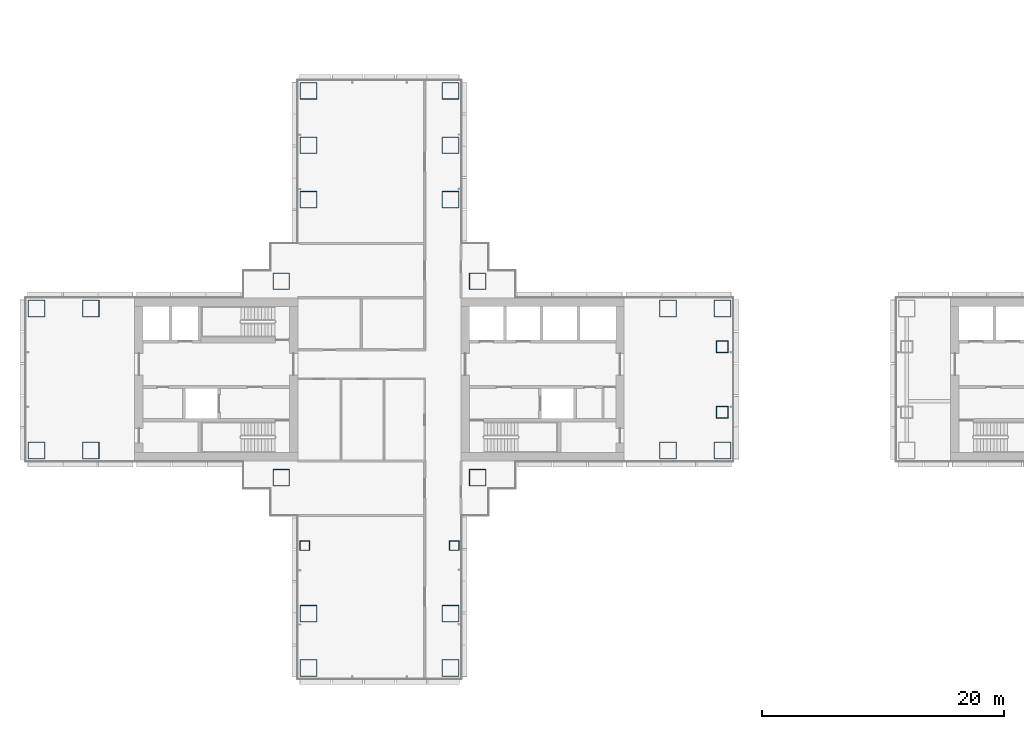
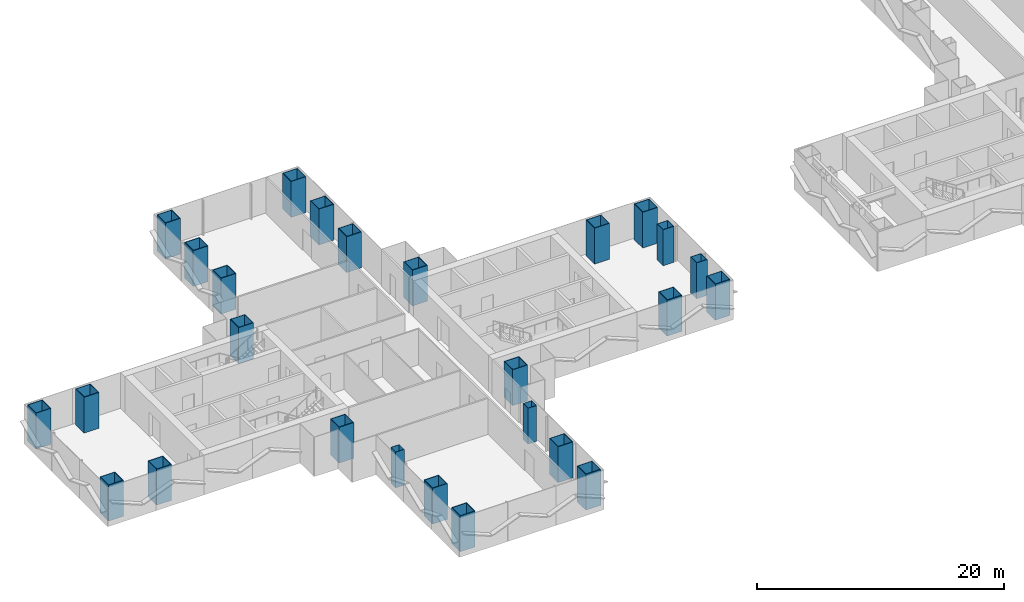
# One storey, part 1 of 21: 26 columns.
"""IFC4 building model written with IfcOpenShell, lengths in metres."""

from ifc_helpers import new_model, si_unit, direction, frame, origin, origin_2d, place, context, subcontext, project, spatial, hollow_rectangle, extrude, material, material_profile, profile_set, type_object, element, save


model = new_model("IFC4")

# Units and contexts
model_context = context("Model", 3, precision=1e-05, world=origin(), true_north=direction((0.0, 1.0)))
body_context = subcontext(model_context, "Body", "Model", "MODEL_VIEW")
ifc_project = project(units=[si_unit("LENGTHUNIT", "METRE"), si_unit("AREAUNIT", "SQUARE_METRE"), si_unit("VOLUMEUNIT", "CUBIC_METRE"), si_unit("PLANEANGLEUNIT", "RADIAN"), si_unit("MASSUNIT", "GRAM", prefix="KILO")], contexts=[model_context])

# Site, building, storey
site_placement = place(None, origin())
site = spatial("IfcSite", under=ifc_project, at=site_placement, CompositionType="ELEMENT")
building_placement = place(site_placement, origin())
building = spatial("IfcBuilding", under=site, at=building_placement, Name="Shamsa Quay Exchange Towers", CompositionType="ELEMENT")
storey_placement = place(building_placement, frame((0.0, 0.0, 57.60009765625)))
storey = spatial("IfcBuildingStorey", under=building, at=storey_placement, Name="L12", CompositionType="ELEMENT", Elevation=57.60009765625)

# Columns
ifc_material_1 = material(Name="Concrete-filled steel tube S355 / C80/95", Category="concrete")
ifc_material_profile_1 = material_profile(ifc_material_1, hollow_rectangle(XDim=1.39990234375, YDim=1.39990234375, WallThickness=0.050048828125, at=origin_2d()), Name="CFT 1400x1400x50")
ifc_profile_set_1 = profile_set([ifc_material_profile_1], Name="Concrete-filled steel tube S355 / C80/95")
column_type_1 = type_object("IfcColumnType", Name="Column CFT 1400x1400x50", PredefinedType="COLUMN", material=ifc_profile_set_1)
for number, where, name in (
    (1, (-25.625, 8.125, 0.0), "Mega column T1-CM01"),
    (2, (-25.625, -8.125, 0.0), "Mega column T1-CM02"),
    (3, (-41.875, 8.125, 0.0), "Mega column T1-CM03"),
    (4, (-41.875, -8.125, 0.0), "Mega column T1-CM04"),
    (5, (-9.875, -5.875, 0.0), "Mega column T1-CM05"),
    (6, (-5.375, -5.875, 0.0), "Mega column T1-CM06"),
    (7, (-9.875, 5.875, 0.0), "Mega column T1-CM07"),
    (8, (-5.375, 5.875, 0.0), "Mega column T1-CM08"),
    (9, (-57.625, -5.875, 0.0), "Mega column T1-CM09"),
    (10, (-62.125, -5.875, 0.0), "Mega column T1-CM10"),
    (11, (-57.625, 5.875, 0.0), "Mega column T1-CM11"),
    (12, (-62.125, 5.875, 0.0), "Mega column T1-CM12"),
    (13, (-39.625, 14.875, 0.0), "Mega column T1-CM13"),
    (14, (-39.625, 19.375, 0.0), "Mega column T1-CM14"),
    (15, (-39.625, 23.875, 0.0), "Mega column T1-CM15"),
    (16, (-27.875, 14.875, 0.0), "Mega column T1-CM16"),
    (17, (-27.875, 19.375, 0.0), "Mega column T1-CM17"),
    (18, (-27.875, 23.875, 0.0), "Mega column T1-CM18"),
    (19, (-39.625, -19.375, 0.0), "Mega column T1-CM20"),
    (20, (-39.625, -23.875, 0.0), "Mega column T1-CM21"),
    (21, (-27.875, -19.375, 0.0), "Mega column T1-CM23"),
    (22, (-27.875, -23.875, 0.0), "Mega column T1-CM24"),
):
    element("IfcColumn", number, at=place(storey_placement, frame(where)), inside=storey, type_object=column_type_1, Name=name, PredefinedType="COLUMN", context=body_context, shape_type="SweptSolid", body=[
        extrude(hollow_rectangle(XDim=1.39990234375, YDim=1.39990234375, WallThickness=0.050048828125, at=origin_2d()), origin(), (0.0, 0.0, 1.0), 3.5498046875),
    ])
ifc_material_2 = material(Name="Concrete-filled steel tube S355 / C60/75", Category="concrete")
ifc_material_profile_2 = material_profile(ifc_material_2, hollow_rectangle(XDim=0.800048828125, YDim=0.800048828125, WallThickness=0.02490234375, at=origin_2d()), Name="CFT 800x800x25")
ifc_profile_set_2 = profile_set([ifc_material_profile_2], Name="Concrete-filled steel tube S355 / C60/75")
column_type_2 = type_object("IfcColumnType", Name="Column CFT 800x800x25", PredefinedType="COLUMN", material=ifc_profile_set_2)
for number, where, name in (
    (23, (-39.9375, -13.75, 0.0), "Perimeter column T1-CP19"),
    (24, (-27.5625, -13.75, 0.0), "Perimeter column T1-CP22"),
):
    element("IfcColumn", number, at=place(storey_placement, frame(where)), inside=storey, type_object=column_type_2, Name=name, PredefinedType="COLUMN", context=body_context, shape_type="SweptSolid", body=[
        extrude(hollow_rectangle(XDim=0.800048828125, YDim=0.800048828125, WallThickness=0.02490234375, at=origin_2d()), origin(), (0.0, 0.0, 1.0), 3.5498046875),
    ])
ifc_material_3 = material(Name="Concrete-filled steel tube S355 / C70/85", Category="concrete")
ifc_material_profile_3 = material_profile(ifc_material_3, hollow_rectangle(XDim=1.0, YDim=1.0, WallThickness=0.0400390625, at=origin_2d()), Name="CFT 1000x1000x40")
ifc_profile_set_3 = profile_set([ifc_material_profile_3], Name="Concrete-filled steel tube S355 / C70/85")
column_type_3 = type_object("IfcColumnType", Name="Landing column CFT 1000x1000x40", PredefinedType="COLUMN", material=ifc_profile_set_3)
for number, where, name in (
    (25, (-5.375, -2.699951171875, 0.0), "Landing column T1 S"),
    (26, (-5.375, 2.699951171875, 0.0), "Landing column T1 N"),
):
    element("IfcColumn", number, at=place(storey_placement, frame(where)), inside=storey, type_object=column_type_3, Name=name, PredefinedType="COLUMN", context=body_context, shape_type="SweptSolid", body=[
        extrude(hollow_rectangle(XDim=1.0, YDim=1.0, WallThickness=0.0400390625, at=origin_2d()), origin(), (0.0, 0.0, 1.0), 3.5498046875),
    ])

save(model, "model.ifc")
